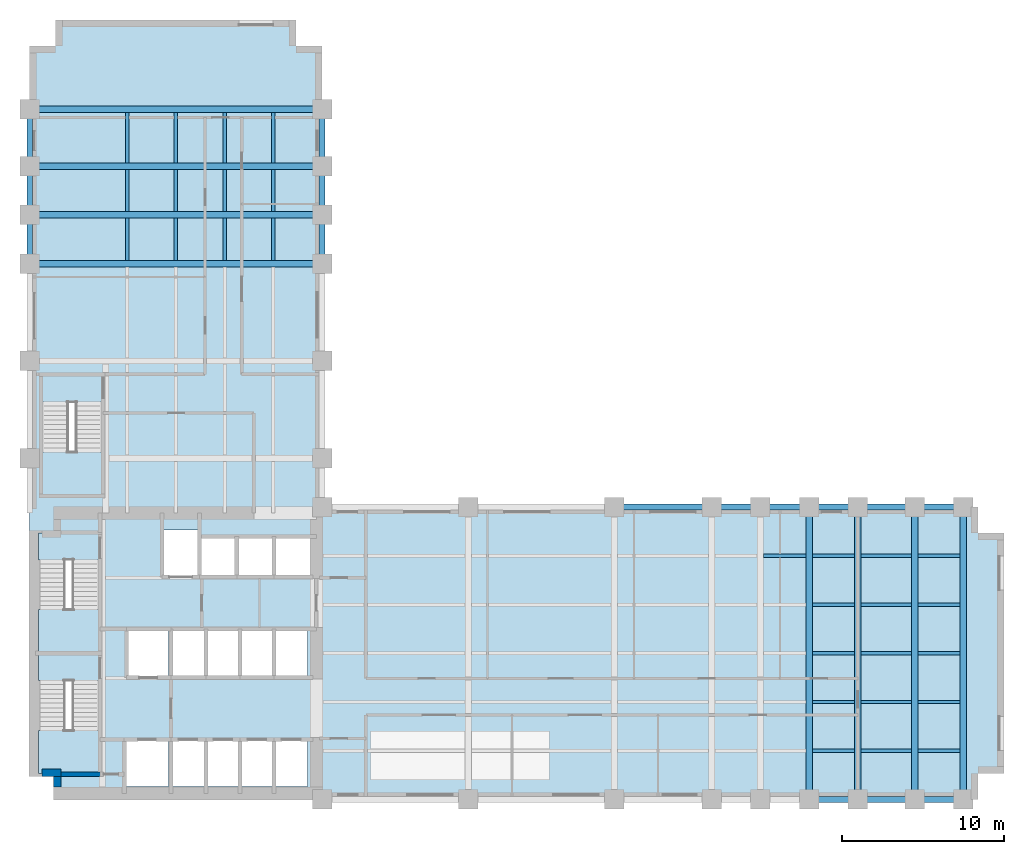
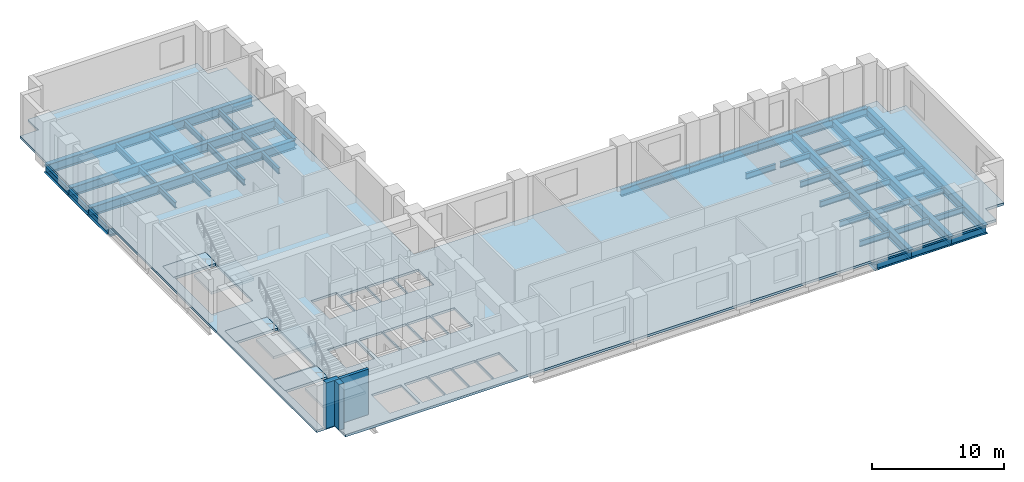
# One storey, part 2 of 7: 51 beams, 7 slabs, 3 walls, 3 elements without a shape of their own.
"""IFC4 building model written with IfcOpenShell, lengths in metres."""

from ifc_helpers import new_model, si_unit, direction, frame, frame_2d, origin, origin_2d, place, context, subcontext, project, spatial, polyline, rectangle, i_section, outline, extrude, material, layer, layer_set, material_profile, profile_set, type_object, element, aggregate, save


model = new_model("IFC4")

# Units and contexts
model_context = context("Model", 3, precision=1e-05, world=origin(), true_north=direction((0.0, 1.0)))
body_context = subcontext(model_context, "Body", "Model", "MODEL_VIEW")
ifc_project = project(units=[si_unit("LENGTHUNIT", "METRE"), si_unit("AREAUNIT", "SQUARE_METRE"), si_unit("VOLUMEUNIT", "CUBIC_METRE"), si_unit("PLANEANGLEUNIT", "RADIAN"), si_unit("MASSUNIT", "GRAM", prefix="KILO")], contexts=[model_context])

# Site, building, storey
site_placement = place(None, origin())
site = spatial("IfcSite", under=ifc_project, at=site_placement, CompositionType="ELEMENT")
building_placement = place(site_placement, origin())
building = spatial("IfcBuilding", under=site, at=building_placement, Name="Mawjdan Bourse Tower", CompositionType="ELEMENT")
storey_placement = place(building_placement, frame((0.0, 0.0, 34.199951171875)))
storey = spatial("IfcBuildingStorey", under=building, at=storey_placement, Name="L07", CompositionType="ELEMENT", Elevation=34.199951171875)

# Beams
ifc_material_1 = material(Name="Structural Steel S355", Category="steel")
ifc_material_profile_1 = material_profile(ifc_material_1, i_section(OverallWidth=0.39892578125, OverallDepth=0.85595703125, WebThickness=0.018310546875, FlangeThickness=0.029296875, FilletRadius=0.0234375, at=origin_2d()), Name="W33X201")
ifc_profile_set_1 = profile_set([ifc_material_profile_1], Name="Structural Steel S355")
beam_type_1 = type_object("IfcBeamType", Name="GRD-W33X201", PredefinedType="BEAM", material=ifc_profile_set_1)
for number, where, z_axis, x_axis, name in (
    (1, (54.0, 3.0, -0.64794921875), (0.0, 1.0, 0.0), (-1.0, 0.0, 0.0), "L07 East Wing Clear-Span Girder 006"),
    (2, (57.0, 3.0, -0.64794921875), (0.0, 1.0, 0.0), (-1.0, 0.0, 0.0), "L07 East Wing Clear-Span Girder 007"),
    (3, (60.5, 3.0, -0.64794921875), (0.0, 1.0, 0.0), (-1.0, 0.0, 0.0), "L07 East Wing Clear-Span Girder 008"),
    (4, (63.5, 3.0, -0.64794921875), (0.0, 1.0, 0.0), (-1.0, 0.0, 0.0), "L07 East Wing Clear-Span Girder 009"),
    (5, (6.0, 36.0, -0.64794921875), (1.0, 0.0, 0.0), (0.0, 1.0, 0.0), "L07 North Wing Clear-Span Girder 073"),
    (6, (6.0, 39.0, -0.64794921875), (1.0, 0.0, 0.0), (0.0, 1.0, 0.0), "L07 North Wing Clear-Span Girder 074"),
    (7, (6.0, 42.0, -0.64794921875), (1.0, 0.0, 0.0), (0.0, 1.0, 0.0), "L07 North Wing Clear-Span Girder 075"),
    (8, (6.0, 45.5, -0.64794921875), (1.0, 0.0, 0.0), (0.0, 1.0, 0.0), "L07 North Wing Clear-Span Girder 076"),
):
    element("IfcBeam", number, at=place(storey_placement, frame(where, z_axis=z_axis, x_axis=x_axis)), inside=storey, type_object=beam_type_1, Name=name, PredefinedType="BEAM", context=body_context, shape_type="SweptSolid", body=[
        extrude(i_section(OverallWidth=0.39892578125, OverallDepth=0.85595703125, WebThickness=0.018310546875, FlangeThickness=0.029296875, FilletRadius=0.0234375, at=origin_2d()), origin(), (0.0, 0.0, 1.0), 18.0),
    ])
ifc_material_profile_2 = material_profile(ifc_material_1, i_section(OverallWidth=0.2119140625, OverallDepth=0.5439453125, WebThickness=0.01318359375, FlangeThickness=0.021240234375, FilletRadius=0.01708984375, at=origin_2d()), Name="W21X83")
ifc_profile_set_2 = profile_set([ifc_material_profile_2], Name="Structural Steel S355")
beam_type_2 = type_object("IfcBeamType", Name="JST-W21X83", PredefinedType="JOIST", material=ifc_profile_set_2)
beam_1_placement = place(storey_placement, frame((54.197509765625, 6.0, -0.491943359375), z_axis=(1.0, 0.0, 0.0), x_axis=(0.0, 1.0, 0.0)))
element("IfcBeam", 9, at=beam_1_placement, inside=storey, type_object=beam_type_2, Name="L07 East Wing Composite Joist 031", PredefinedType="JOIST", context=body_context, shape_type="SweptSolid", body=[
    extrude(i_section(OverallWidth=0.2119140625, OverallDepth=0.5439453125, WebThickness=0.01318359375, FlangeThickness=0.021240234375, FilletRadius=0.01708984375, at=origin_2d()), origin(), (0.0, 0.0, 1.0), 2.60498046875),
])
beam_2_placement = place(storey_placement, frame((57.197509765625, 6.0, -0.491943359375), z_axis=(1.0, 0.0, 0.0), x_axis=(0.0, 1.0, 0.0)))
element("IfcBeam", 10, at=beam_2_placement, inside=storey, type_object=beam_type_2, Name="L07 East Wing Composite Joist 032", PredefinedType="JOIST", context=body_context, shape_type="SweptSolid", body=[
    extrude(i_section(OverallWidth=0.2119140625, OverallDepth=0.5439453125, WebThickness=0.01318359375, FlangeThickness=0.021240234375, FilletRadius=0.01708984375, at=origin_2d()), origin(), (0.0, 0.0, 1.0), 3.10498046875),
])
for number, where, z_axis, x_axis, name in (
    (11, (60.697509765625, 6.0, -0.491943359375), (1.0, 0.0, 0.0), (0.0, 1.0, 0.0), "L07 East Wing Composite Joist 033"),
    (12, (54.197509765625, 9.0, -0.491943359375), (1.0, 0.0, 0.0), (0.0, 1.0, 0.0), "L07 East Wing Composite Joist 039"),
):
    element("IfcBeam", number, at=place(storey_placement, frame(where, z_axis=z_axis, x_axis=x_axis)), inside=storey, type_object=beam_type_2, Name=name, PredefinedType="JOIST", context=body_context, shape_type="SweptSolid", body=[
        extrude(i_section(OverallWidth=0.2119140625, OverallDepth=0.5439453125, WebThickness=0.01318359375, FlangeThickness=0.021240234375, FilletRadius=0.01708984375, at=origin_2d()), origin(), (0.0, 0.0, 1.0), 2.60498046875),
    ])
beam_3_placement = place(storey_placement, frame((57.197509765625, 9.0, -0.491943359375), z_axis=(1.0, 0.0, 0.0), x_axis=(0.0, 1.0, 0.0)))
element("IfcBeam", 13, at=beam_3_placement, inside=storey, type_object=beam_type_2, Name="L07 East Wing Composite Joist 040", PredefinedType="JOIST", context=body_context, shape_type="SweptSolid", body=[
    extrude(i_section(OverallWidth=0.2119140625, OverallDepth=0.5439453125, WebThickness=0.01318359375, FlangeThickness=0.021240234375, FilletRadius=0.01708984375, at=origin_2d()), origin(), (0.0, 0.0, 1.0), 3.10498046875),
])
for number, where, z_axis, x_axis, name in (
    (14, (60.697509765625, 9.0, -0.491943359375), (1.0, 0.0, 0.0), (0.0, 1.0, 0.0), "L07 East Wing Composite Joist 041"),
    (15, (54.197509765625, 12.0, -0.491943359375), (1.0, 0.0, 0.0), (0.0, 1.0, 0.0), "L07 East Wing Composite Joist 047"),
):
    element("IfcBeam", number, at=place(storey_placement, frame(where, z_axis=z_axis, x_axis=x_axis)), inside=storey, type_object=beam_type_2, Name=name, PredefinedType="JOIST", context=body_context, shape_type="SweptSolid", body=[
        extrude(i_section(OverallWidth=0.2119140625, OverallDepth=0.5439453125, WebThickness=0.01318359375, FlangeThickness=0.021240234375, FilletRadius=0.01708984375, at=origin_2d()), origin(), (0.0, 0.0, 1.0), 2.60498046875),
    ])
beam_4_placement = place(storey_placement, frame((57.197509765625, 12.0, -0.491943359375), z_axis=(1.0, 0.0, 0.0), x_axis=(0.0, 1.0, 0.0)))
element("IfcBeam", 16, at=beam_4_placement, inside=storey, type_object=beam_type_2, Name="L07 East Wing Composite Joist 048", PredefinedType="JOIST", context=body_context, shape_type="SweptSolid", body=[
    extrude(i_section(OverallWidth=0.2119140625, OverallDepth=0.5439453125, WebThickness=0.01318359375, FlangeThickness=0.021240234375, FilletRadius=0.01708984375, at=origin_2d()), origin(), (0.0, 0.0, 1.0), 3.10498046875),
])
for number, where, z_axis, x_axis, name in (
    (17, (60.697509765625, 12.0, -0.491943359375), (1.0, 0.0, 0.0), (0.0, 1.0, 0.0), "L07 East Wing Composite Joist 049"),
    (18, (54.197509765625, 15.0, -0.491943359375), (1.0, 0.0, 0.0), (0.0, 1.0, 0.0), "L07 East Wing Composite Joist 055"),
):
    element("IfcBeam", number, at=place(storey_placement, frame(where, z_axis=z_axis, x_axis=x_axis)), inside=storey, type_object=beam_type_2, Name=name, PredefinedType="JOIST", context=body_context, shape_type="SweptSolid", body=[
        extrude(i_section(OverallWidth=0.2119140625, OverallDepth=0.5439453125, WebThickness=0.01318359375, FlangeThickness=0.021240234375, FilletRadius=0.01708984375, at=origin_2d()), origin(), (0.0, 0.0, 1.0), 2.60498046875),
    ])
beam_5_placement = place(storey_placement, frame((57.197509765625, 15.0, -0.491943359375), z_axis=(1.0, 0.0, 0.0), x_axis=(0.0, 1.0, 0.0)))
element("IfcBeam", 19, at=beam_5_placement, inside=storey, type_object=beam_type_2, Name="L07 East Wing Composite Joist 056", PredefinedType="JOIST", context=body_context, shape_type="SweptSolid", body=[
    extrude(i_section(OverallWidth=0.2119140625, OverallDepth=0.5439453125, WebThickness=0.01318359375, FlangeThickness=0.021240234375, FilletRadius=0.01708984375, at=origin_2d()), origin(), (0.0, 0.0, 1.0), 3.10498046875),
])
for number, where, z_axis, x_axis, name in (
    (20, (60.697509765625, 15.0, -0.491943359375), (1.0, 0.0, 0.0), (0.0, 1.0, 0.0), "L07 East Wing Composite Joist 057"),
    (21, (51.197509765625, 18.0, -0.491943359375), (1.0, 0.0, 0.0), (0.0, 1.0, 0.0), "L07 East Wing Composite Joist 062"),
    (22, (54.197509765625, 18.0, -0.491943359375), (1.0, 0.0, 0.0), (0.0, 1.0, 0.0), "L07 East Wing Composite Joist 063"),
):
    element("IfcBeam", number, at=place(storey_placement, frame(where, z_axis=z_axis, x_axis=x_axis)), inside=storey, type_object=beam_type_2, Name=name, PredefinedType="JOIST", context=body_context, shape_type="SweptSolid", body=[
        extrude(i_section(OverallWidth=0.2119140625, OverallDepth=0.5439453125, WebThickness=0.01318359375, FlangeThickness=0.021240234375, FilletRadius=0.01708984375, at=origin_2d()), origin(), (0.0, 0.0, 1.0), 2.60498046875),
    ])
beam_6_placement = place(storey_placement, frame((57.197509765625, 18.0, -0.491943359375), z_axis=(1.0, 0.0, 0.0), x_axis=(0.0, 1.0, 0.0)))
element("IfcBeam", 23, at=beam_6_placement, inside=storey, type_object=beam_type_2, Name="L07 East Wing Composite Joist 064", PredefinedType="JOIST", context=body_context, shape_type="SweptSolid", body=[
    extrude(i_section(OverallWidth=0.2119140625, OverallDepth=0.5439453125, WebThickness=0.01318359375, FlangeThickness=0.021240234375, FilletRadius=0.01708984375, at=origin_2d()), origin(), (0.0, 0.0, 1.0), 3.10498046875),
])
for number, where, z_axis, x_axis, name in (
    (24, (60.697509765625, 18.0, -0.491943359375), (1.0, 0.0, 0.0), (0.0, 1.0, 0.0), "L07 East Wing Composite Joist 065"),
    (25, (12.0, 36.197509765625, -0.491943359375), (0.0, 1.0, 0.0), (-1.0, 0.0, 0.0), "L07 North Wing Composite Joist 092"),
    (26, (12.0, 39.197509765625, -0.491943359375), (0.0, 1.0, 0.0), (-1.0, 0.0, 0.0), "L07 North Wing Composite Joist 093"),
):
    element("IfcBeam", number, at=place(storey_placement, frame(where, z_axis=z_axis, x_axis=x_axis)), inside=storey, type_object=beam_type_2, Name=name, PredefinedType="JOIST", context=body_context, shape_type="SweptSolid", body=[
        extrude(i_section(OverallWidth=0.2119140625, OverallDepth=0.5439453125, WebThickness=0.01318359375, FlangeThickness=0.021240234375, FilletRadius=0.01708984375, at=origin_2d()), origin(), (0.0, 0.0, 1.0), 2.60498046875),
    ])
beam_7_placement = place(storey_placement, frame((12.0, 42.197509765625, -0.491943359375), z_axis=(0.0, 1.0, 0.0), x_axis=(-1.0, 0.0, 0.0)))
element("IfcBeam", 27, at=beam_7_placement, inside=storey, type_object=beam_type_2, Name="L07 North Wing Composite Joist 094", PredefinedType="JOIST", context=body_context, shape_type="SweptSolid", body=[
    extrude(i_section(OverallWidth=0.2119140625, OverallDepth=0.5439453125, WebThickness=0.01318359375, FlangeThickness=0.021240234375, FilletRadius=0.01708984375, at=origin_2d()), origin(), (0.0, 0.0, 1.0), 3.10498046875),
])
for number, where, z_axis, x_axis, name in (
    (28, (15.0, 36.197509765625, -0.491943359375), (0.0, 1.0, 0.0), (-1.0, 0.0, 0.0), "L07 North Wing Composite Joist 098"),
    (29, (15.0, 39.197509765625, -0.491943359375), (0.0, 1.0, 0.0), (-1.0, 0.0, 0.0), "L07 North Wing Composite Joist 099"),
):
    element("IfcBeam", number, at=place(storey_placement, frame(where, z_axis=z_axis, x_axis=x_axis)), inside=storey, type_object=beam_type_2, Name=name, PredefinedType="JOIST", context=body_context, shape_type="SweptSolid", body=[
        extrude(i_section(OverallWidth=0.2119140625, OverallDepth=0.5439453125, WebThickness=0.01318359375, FlangeThickness=0.021240234375, FilletRadius=0.01708984375, at=origin_2d()), origin(), (0.0, 0.0, 1.0), 2.60498046875),
    ])
beam_8_placement = place(storey_placement, frame((15.0, 42.197509765625, -0.491943359375), z_axis=(0.0, 1.0, 0.0), x_axis=(-1.0, 0.0, 0.0)))
element("IfcBeam", 30, at=beam_8_placement, inside=storey, type_object=beam_type_2, Name="L07 North Wing Composite Joist 100", PredefinedType="JOIST", context=body_context, shape_type="SweptSolid", body=[
    extrude(i_section(OverallWidth=0.2119140625, OverallDepth=0.5439453125, WebThickness=0.01318359375, FlangeThickness=0.021240234375, FilletRadius=0.01708984375, at=origin_2d()), origin(), (0.0, 0.0, 1.0), 3.10498046875),
])
for number, where, z_axis, x_axis, name in (
    (31, (18.0, 36.197509765625, -0.491943359375), (0.0, 1.0, 0.0), (-1.0, 0.0, 0.0), "L07 North Wing Composite Joist 104"),
    (32, (18.0, 39.197509765625, -0.491943359375), (0.0, 1.0, 0.0), (-1.0, 0.0, 0.0), "L07 North Wing Composite Joist 105"),
):
    element("IfcBeam", number, at=place(storey_placement, frame(where, z_axis=z_axis, x_axis=x_axis)), inside=storey, type_object=beam_type_2, Name=name, PredefinedType="JOIST", context=body_context, shape_type="SweptSolid", body=[
        extrude(i_section(OverallWidth=0.2119140625, OverallDepth=0.5439453125, WebThickness=0.01318359375, FlangeThickness=0.021240234375, FilletRadius=0.01708984375, at=origin_2d()), origin(), (0.0, 0.0, 1.0), 2.60498046875),
    ])
beam_9_placement = place(storey_placement, frame((18.0, 42.197509765625, -0.491943359375), z_axis=(0.0, 1.0, 0.0), x_axis=(-1.0, 0.0, 0.0)))
element("IfcBeam", 33, at=beam_9_placement, inside=storey, type_object=beam_type_2, Name="L07 North Wing Composite Joist 106", PredefinedType="JOIST", context=body_context, shape_type="SweptSolid", body=[
    extrude(i_section(OverallWidth=0.2119140625, OverallDepth=0.5439453125, WebThickness=0.01318359375, FlangeThickness=0.021240234375, FilletRadius=0.01708984375, at=origin_2d()), origin(), (0.0, 0.0, 1.0), 3.10498046875),
])
for number, where, z_axis, x_axis, name in (
    (34, (21.0, 36.197509765625, -0.491943359375), (0.0, 1.0, 0.0), (-1.0, 0.0, 0.0), "L07 North Wing Composite Joist 110"),
    (35, (21.0, 39.197509765625, -0.491943359375), (0.0, 1.0, 0.0), (-1.0, 0.0, 0.0), "L07 North Wing Composite Joist 111"),
):
    element("IfcBeam", number, at=place(storey_placement, frame(where, z_axis=z_axis, x_axis=x_axis)), inside=storey, type_object=beam_type_2, Name=name, PredefinedType="JOIST", context=body_context, shape_type="SweptSolid", body=[
        extrude(i_section(OverallWidth=0.2119140625, OverallDepth=0.5439453125, WebThickness=0.01318359375, FlangeThickness=0.021240234375, FilletRadius=0.01708984375, at=origin_2d()), origin(), (0.0, 0.0, 1.0), 2.60498046875),
    ])
beam_10_placement = place(storey_placement, frame((21.0, 42.197509765625, -0.491943359375), z_axis=(0.0, 1.0, 0.0), x_axis=(-1.0, 0.0, 0.0)))
element("IfcBeam", 36, at=beam_10_placement, inside=storey, type_object=beam_type_2, Name="L07 North Wing Composite Joist 112", PredefinedType="JOIST", context=body_context, shape_type="SweptSolid", body=[
    extrude(i_section(OverallWidth=0.2119140625, OverallDepth=0.5439453125, WebThickness=0.01318359375, FlangeThickness=0.021240234375, FilletRadius=0.01708984375, at=origin_2d()), origin(), (0.0, 0.0, 1.0), 3.10498046875),
])
ifc_material_profile_3 = material_profile(ifc_material_1, i_section(OverallWidth=0.35498046875, OverallDepth=0.696044921875, WebThickness=0.015380859375, FlangeThickness=0.02490234375, FilletRadius=0.019775390625, at=origin_2d()), Name="W27X146")
ifc_profile_set_3 = profile_set([ifc_material_profile_3], Name="Structural Steel S355")
beam_type_3 = type_object("IfcBeamType", Name="SPN-W27X146", PredefinedType="SPANDREL", material=ifc_profile_set_3)
beam_11_placement = place(storey_placement, frame((54.0, 3.0, -0.56787109375), z_axis=(1.0, 0.0, 0.0), x_axis=(0.0, 1.0, 0.0)))
element("IfcBeam", 37, at=beam_11_placement, inside=storey, type_object=beam_type_3, Name="L07 Perimeter Masonry-Shelf Spandrel 015", PredefinedType="SPANDREL", context=body_context, shape_type="SweptSolid", body=[
    extrude(i_section(OverallWidth=0.35498046875, OverallDepth=0.696044921875, WebThickness=0.015380859375, FlangeThickness=0.02490234375, FilletRadius=0.019775390625, at=origin_2d()), origin(), (0.0, 0.0, 1.0), 3.0),
])
beam_12_placement = place(storey_placement, frame((57.0, 3.0, -0.56787109375), z_axis=(1.0, 0.0, 0.0), x_axis=(0.0, 1.0, 0.0)))
element("IfcBeam", 38, at=beam_12_placement, inside=storey, type_object=beam_type_3, Name="L07 Perimeter Masonry-Shelf Spandrel 016", PredefinedType="SPANDREL", context=body_context, shape_type="SweptSolid", body=[
    extrude(i_section(OverallWidth=0.35498046875, OverallDepth=0.696044921875, WebThickness=0.015380859375, FlangeThickness=0.02490234375, FilletRadius=0.019775390625, at=origin_2d()), origin(), (0.0, 0.0, 1.0), 3.5),
])
beam_13_placement = place(storey_placement, frame((60.5, 3.0, -0.56787109375), z_axis=(1.0, 0.0, 0.0), x_axis=(0.0, 1.0, 0.0)))
element("IfcBeam", 39, at=beam_13_placement, inside=storey, type_object=beam_type_3, Name="L07 Perimeter Masonry-Shelf Spandrel 017", PredefinedType="SPANDREL", context=body_context, shape_type="SweptSolid", body=[
    extrude(i_section(OverallWidth=0.35498046875, OverallDepth=0.696044921875, WebThickness=0.015380859375, FlangeThickness=0.02490234375, FilletRadius=0.019775390625, at=origin_2d()), origin(), (0.0, 0.0, 1.0), 3.0),
])
beam_14_placement = place(storey_placement, frame((42.0, 21.0, -0.56787109375), z_axis=(1.0, 0.0, 0.0), x_axis=(0.0, 1.0, 0.0)))
element("IfcBeam", 40, at=beam_14_placement, inside=storey, type_object=beam_type_3, Name="L07 Perimeter Masonry-Shelf Spandrel 020", PredefinedType="SPANDREL", context=body_context, shape_type="SweptSolid", body=[
    extrude(i_section(OverallWidth=0.35498046875, OverallDepth=0.696044921875, WebThickness=0.015380859375, FlangeThickness=0.02490234375, FilletRadius=0.019775390625, at=origin_2d()), origin(), (0.0, 0.0, 1.0), 6.0),
])
for number, where, z_axis, x_axis, name in (
    (41, (48.0, 21.0, -0.56787109375), (1.0, 0.0, 0.0), (0.0, 1.0, 0.0), "L07 Perimeter Masonry-Shelf Spandrel 021"),
    (42, (51.0, 21.0, -0.56787109375), (1.0, 0.0, 0.0), (0.0, 1.0, 0.0), "L07 Perimeter Masonry-Shelf Spandrel 022"),
    (43, (54.0, 21.0, -0.56787109375), (1.0, 0.0, 0.0), (0.0, 1.0, 0.0), "L07 Perimeter Masonry-Shelf Spandrel 023"),
):
    element("IfcBeam", number, at=place(storey_placement, frame(where, z_axis=z_axis, x_axis=x_axis)), inside=storey, type_object=beam_type_3, Name=name, PredefinedType="SPANDREL", context=body_context, shape_type="SweptSolid", body=[
        extrude(i_section(OverallWidth=0.35498046875, OverallDepth=0.696044921875, WebThickness=0.015380859375, FlangeThickness=0.02490234375, FilletRadius=0.019775390625, at=origin_2d()), origin(), (0.0, 0.0, 1.0), 3.0),
    ])
beam_15_placement = place(storey_placement, frame((57.0, 21.0, -0.56787109375), z_axis=(1.0, 0.0, 0.0), x_axis=(0.0, 1.0, 0.0)))
element("IfcBeam", 44, at=beam_15_placement, inside=storey, type_object=beam_type_3, Name="L07 Perimeter Masonry-Shelf Spandrel 024", PredefinedType="SPANDREL", context=body_context, shape_type="SweptSolid", body=[
    extrude(i_section(OverallWidth=0.35498046875, OverallDepth=0.696044921875, WebThickness=0.015380859375, FlangeThickness=0.02490234375, FilletRadius=0.019775390625, at=origin_2d()), origin(), (0.0, 0.0, 1.0), 3.5),
])
for number, where, z_axis, x_axis, name in (
    (45, (60.5, 21.0, -0.56787109375), (1.0, 0.0, 0.0), (0.0, 1.0, 0.0), "L07 Perimeter Masonry-Shelf Spandrel 025"),
    (46, (6.0, 36.0, -0.56787109375), (0.0, 1.0, 0.0), (-1.0, 0.0, 0.0), "L07 North Wing Spandrel 080"),
    (47, (6.0, 39.0, -0.56787109375), (0.0, 1.0, 0.0), (-1.0, 0.0, 0.0), "L07 North Wing Spandrel 081"),
):
    element("IfcBeam", number, at=place(storey_placement, frame(where, z_axis=z_axis, x_axis=x_axis)), inside=storey, type_object=beam_type_3, Name=name, PredefinedType="SPANDREL", context=body_context, shape_type="SweptSolid", body=[
        extrude(i_section(OverallWidth=0.35498046875, OverallDepth=0.696044921875, WebThickness=0.015380859375, FlangeThickness=0.02490234375, FilletRadius=0.019775390625, at=origin_2d()), origin(), (0.0, 0.0, 1.0), 3.0),
    ])
beam_16_placement = place(storey_placement, frame((6.0, 42.0, -0.56787109375), z_axis=(0.0, 1.0, 0.0), x_axis=(-1.0, 0.0, 0.0)))
element("IfcBeam", 48, at=beam_16_placement, inside=storey, type_object=beam_type_3, Name="L07 North Wing Spandrel 082", PredefinedType="SPANDREL", context=body_context, shape_type="SweptSolid", body=[
    extrude(i_section(OverallWidth=0.35498046875, OverallDepth=0.696044921875, WebThickness=0.015380859375, FlangeThickness=0.02490234375, FilletRadius=0.019775390625, at=origin_2d()), origin(), (0.0, 0.0, 1.0), 3.5),
])
for number, where, z_axis, x_axis, name in (
    (49, (24.0, 36.0, -0.56787109375), (0.0, 1.0, 0.0), (-1.0, 0.0, 0.0), "L07 North Wing Spandrel 086"),
    (50, (24.0, 39.0, -0.56787109375), (0.0, 1.0, 0.0), (-1.0, 0.0, 0.0), "L07 North Wing Spandrel 087"),
):
    element("IfcBeam", number, at=place(storey_placement, frame(where, z_axis=z_axis, x_axis=x_axis)), inside=storey, type_object=beam_type_3, Name=name, PredefinedType="SPANDREL", context=body_context, shape_type="SweptSolid", body=[
        extrude(i_section(OverallWidth=0.35498046875, OverallDepth=0.696044921875, WebThickness=0.015380859375, FlangeThickness=0.02490234375, FilletRadius=0.019775390625, at=origin_2d()), origin(), (0.0, 0.0, 1.0), 3.0),
    ])
beam_17_placement = place(storey_placement, frame((24.0, 42.0, -0.56787109375), z_axis=(0.0, 1.0, 0.0), x_axis=(-1.0, 0.0, 0.0)))
element("IfcBeam", 51, at=beam_17_placement, inside=storey, type_object=beam_type_3, Name="L07 North Wing Spandrel 088", PredefinedType="SPANDREL", context=body_context, shape_type="SweptSolid", body=[
    extrude(i_section(OverallWidth=0.35498046875, OverallDepth=0.696044921875, WebThickness=0.015380859375, FlangeThickness=0.02490234375, FilletRadius=0.019775390625, at=origin_2d()), origin(), (0.0, 0.0, 1.0), 3.5),
])

# Stair, slabs
ifc_material_2 = material(Name="Concrete C50/60", Category="concrete")
stair_type = type_object("IfcStairType", Name="STR-CORE-1500", PredefinedType="HALF_TURN_STAIR", material=ifc_material_2)
stair_1_placement = place(storey_placement, origin())
stair_1 = element("IfcStair", 52, at=stair_1_placement, inside=storey, type_object=stair_type, Name="L07 Exit Stair 1 (Core South-West)", PredefinedType="HALF_TURN_STAIR")
ifc_layer_1 = layer(ifc_material_2, 0.22998046875)
ifc_layer_set_1 = layer_set([ifc_layer_1], Name="Concrete C50/60")
slab_type_1 = type_object("IfcSlabType", Name="SL-LND-230", PredefinedType="LANDING", material=ifc_layer_set_1)
slab_1_placement = place(storey_placement, frame((0.0, 0.0, -0.22998046875)))
slab_1 = element("IfcSlab", 53, at=slab_1_placement, type_object=slab_type_1, Name="ST1-L07 landing 1", PredefinedType="LANDING", context=body_context, shape_type="SweptSolid", body=[
    extrude(outline(polyline([(6.5400390625, 10.31005859375), (10.260009765625, 10.31005859375), (10.260009765625, 11.969970703125), (6.5400390625, 11.969970703125), (6.5400390625, 10.31005859375)])), origin(), (0.0, 0.0, 1.0), 0.22998046875),
])
slab_2_placement = place(storey_placement, frame((0.0, 0.0, 1.8701171875)))
slab_2 = element("IfcSlab", 54, at=slab_2_placement, type_object=slab_type_1, Name="ST1-L07 landing 2", PredefinedType="LANDING", context=body_context, shape_type="SweptSolid", body=[
    extrude(outline(polyline([(6.5400390625, 4.590087890625), (10.260009765625, 4.590087890625), (10.260009765625, 7.2548828125), (6.5400390625, 7.2548828125), (6.5400390625, 4.590087890625)])), origin(), (0.0, 0.0, 1.0), 0.22998046875),
])
aggregate(stair_1, [slab_1, slab_2])

stair_2_placement = place(storey_placement, origin())
stair_2 = element("IfcStair", 55, at=stair_2_placement, inside=storey, type_object=stair_type, Name="L07 Exit Stair 2 (Core North-West)", PredefinedType="HALF_TURN_STAIR")
slab_3_placement = place(storey_placement, frame((0.0, 0.0, -0.22998046875)))
slab_3 = element("IfcSlab", 56, at=slab_3_placement, type_object=slab_type_1, Name="ST2-L07 landing 1", PredefinedType="LANDING", context=body_context, shape_type="SweptSolid", body=[
    extrude(outline(polyline([(6.5400390625, 17.75), (10.260009765625, 17.75), (10.260009765625, 19.409912109375), (6.5400390625, 19.409912109375), (6.5400390625, 17.75)])), origin(), (0.0, 0.0, 1.0), 0.22998046875),
])
slab_4_placement = place(storey_placement, frame((0.0, 0.0, 1.8701171875)))
slab_4 = element("IfcSlab", 57, at=slab_4_placement, type_object=slab_type_1, Name="ST2-L07 landing 2", PredefinedType="LANDING", context=body_context, shape_type="SweptSolid", body=[
    extrude(outline(polyline([(6.5400390625, 12.030029296875), (10.260009765625, 12.030029296875), (10.260009765625, 14.695068359375), (6.5400390625, 14.695068359375), (6.5400390625, 12.030029296875)])), origin(), (0.0, 0.0, 1.0), 0.22998046875),
])
aggregate(stair_2, [slab_3, slab_4])

stair_3_placement = place(storey_placement, origin())
stair_3 = element("IfcStair", 58, at=stair_3_placement, inside=storey, type_object=stair_type, Name="L07 Exit Stair 3 (North Wing)", PredefinedType="HALF_TURN_STAIR")
slab_5_placement = place(storey_placement, frame((0.0, 0.0, -0.22998046875)))
slab_5 = element("IfcSlab", 59, at=slab_5_placement, type_object=slab_type_1, Name="ST3-L07 landing 1", PredefinedType="LANDING", context=body_context, shape_type="SweptSolid", body=[
    extrude(outline(polyline([(6.739990234375, 27.4599609375), (10.4599609375, 27.4599609375), (10.4599609375, 29.1201171875), (6.739990234375, 29.1201171875), (6.739990234375, 27.4599609375)])), origin(), (0.0, 0.0, 1.0), 0.22998046875),
])
slab_6_placement = place(storey_placement, frame((0.0, 0.0, 1.8701171875)))
slab_6 = element("IfcSlab", 60, at=slab_6_placement, type_object=slab_type_1, Name="ST3-L07 landing 2", PredefinedType="LANDING", context=body_context, shape_type="SweptSolid", body=[
    extrude(outline(polyline([(6.739990234375, 21.739990234375), (10.4599609375, 21.739990234375), (10.4599609375, 24.405029296875), (6.739990234375, 24.405029296875), (6.739990234375, 21.739990234375)])), origin(), (0.0, 0.0, 1.0), 0.22998046875),
])
aggregate(stair_3, [slab_5, slab_6])

# Slab
ifc_layer_2 = layer(ifc_material_2, 0.219970703125)
ifc_layer_set_2 = layer_set([ifc_layer_2], Name="Concrete C50/60")
slab_type_2 = type_object("IfcSlabType", Name="SL-TRD-220", PredefinedType="FLOOR", material=ifc_layer_set_2)
slab_7_placement = place(storey_placement, frame((0.0, 0.0, -0.219970703125)))
element("IfcSlab", 61, at=slab_7_placement, inside=storey, type_object=slab_type_2, Name="L07 Structural Floor Slab 1", PredefinedType="FLOOR", context=body_context, shape_type="SweptSolid", body=[
    extrude(outline(polyline([(7.60009765625, 3.0), (64.39990234375, 3.0), (64.39990234375, 4.60009765625), (66.0, 4.60009765625), (66.0, 19.39990234375), (64.39990234375, 19.39990234375), (64.39990234375, 21.0), (24.0, 21.0), (24.0, 49.39990234375), (22.39990234375, 49.39990234375), (22.39990234375, 51.0), (7.60009765625, 51.0), (7.60009765625, 49.39990234375), (6.0, 49.39990234375), (6.0, 4.60009765625), (7.60009765625, 4.60009765625), (7.60009765625, 3.0)]), holes=[polyline([(11.949951171875, 3.800048828125), (11.949951171875, 6.60009765625), (14.550048828125, 6.60009765625), (14.550048828125, 3.800048828125), (11.949951171875, 3.800048828125)]), polyline([(14.800048828125, 3.800048828125), (14.800048828125, 6.60009765625), (16.800048828125, 6.60009765625), (16.800048828125, 3.800048828125), (14.800048828125, 3.800048828125)]), polyline([(10.260009765625, 11.969970703125), (10.260009765625, 10.31005859375), (10.199951171875, 10.31005859375), (10.199951171875, 4.64990234375), (6.60009765625, 4.64990234375), (6.60009765625, 10.31005859375), (6.5400390625, 10.31005859375), (6.5400390625, 11.969970703125), (10.260009765625, 11.969970703125)]), polyline([(12.050048828125, 13.39990234375), (14.550048828125, 13.39990234375), (14.550048828125, 10.60009765625), (12.050048828125, 10.60009765625), (12.050048828125, 13.39990234375)]), polyline([(6.60009765625, 17.75), (6.5400390625, 17.75), (6.5400390625, 19.409912109375), (10.260009765625, 19.409912109375), (10.260009765625, 17.75), (10.199951171875, 17.75), (10.199951171875, 12.090087890625), (6.60009765625, 12.090087890625), (6.60009765625, 17.75)]), polyline([(14.199951171875, 16.800048828125), (14.199951171875, 19.60009765625), (16.39990234375, 19.60009765625), (16.39990234375, 16.800048828125), (14.199951171875, 16.800048828125)]), polyline([(10.4599609375, 27.4599609375), (10.39990234375, 27.4599609375), (10.39990234375, 21.800048828125), (6.800048828125, 21.800048828125), (6.800048828125, 27.4599609375), (6.739990234375, 27.4599609375), (6.739990234375, 29.1201171875), (10.4599609375, 29.1201171875), (10.4599609375, 27.4599609375)]), polyline([(16.89990234375, 3.800048828125), (16.89990234375, 6.60009765625), (18.89990234375, 6.60009765625), (18.89990234375, 3.800048828125), (16.89990234375, 3.800048828125)]), polyline([(19.0, 3.800048828125), (19.0, 6.60009765625), (21.0, 6.60009765625), (21.0, 3.800048828125), (19.0, 3.800048828125)]), polyline([(21.10009765625, 3.800048828125), (21.10009765625, 6.60009765625), (23.10009765625, 6.60009765625), (23.10009765625, 3.800048828125), (21.10009765625, 3.800048828125)]), polyline([(14.800048828125, 13.39990234375), (16.800048828125, 13.39990234375), (16.800048828125, 10.60009765625), (14.800048828125, 10.60009765625), (14.800048828125, 13.39990234375)]), polyline([(16.89990234375, 13.39990234375), (18.89990234375, 13.39990234375), (18.89990234375, 10.60009765625), (16.89990234375, 10.60009765625), (16.89990234375, 13.39990234375)]), polyline([(19.0, 10.60009765625), (19.0, 13.39990234375), (21.0, 13.39990234375), (21.0, 10.60009765625), (19.0, 10.60009765625)]), polyline([(21.10009765625, 10.60009765625), (21.10009765625, 13.39990234375), (23.10009765625, 13.39990234375), (23.10009765625, 10.60009765625), (21.10009765625, 10.60009765625)]), polyline([(16.5, 16.800048828125), (16.5, 19.14990234375), (18.699951171875, 19.14990234375), (18.699951171875, 16.800048828125), (16.5, 16.800048828125)]), polyline([(18.800048828125, 19.14990234375), (21.0, 19.14990234375), (21.0, 16.800048828125), (18.800048828125, 16.800048828125), (18.800048828125, 19.14990234375)]), polyline([(21.10009765625, 19.14990234375), (23.300048828125, 19.14990234375), (23.300048828125, 16.800048828125), (21.10009765625, 16.800048828125), (21.10009765625, 19.14990234375)])]), origin(), (0.0, 0.0, 1.0), 0.219970703125),
])

# Walls
ifc_material_3 = material(Name="Concrete C60/75", Category="concrete")
ifc_layer_3 = layer(ifc_material_3, 0.449951171875)
ifc_layer_set_3 = layer_set([ifc_layer_3], Name="Concrete C60/75")
wall_type_1 = type_object("IfcWallType", Name="WL-CORE-450", PredefinedType="SHEAR", material=ifc_layer_set_3)
wall_1_placement = place(storey_placement, frame((6.75, 4.64990234375, 0.0), z_axis=(0.0, 0.0, 1.0), x_axis=(1.0, 0.0, 0.0)))
element("IfcWall", 62, at=wall_1_placement, inside=storey, type_object=wall_type_1, Name="L07 Rear Core Shear Wall SW-X", PredefinedType="SHEAR", context=body_context, shape_type="SweptSolid", body=[
    extrude(rectangle(XDim=1.175048828125, YDim=0.449951171875, at=frame_2d((0.58740234375, 0.0))), origin(), (0.0, 0.0, 1.0), 4.199951171875),
])
wall_2_placement = place(storey_placement, frame((7.699951171875, 3.75, 0.0), z_axis=(0.0, 0.0, 1.0), x_axis=(0.0, 1.0, 0.0)))
element("IfcWall", 63, at=wall_2_placement, inside=storey, type_object=wall_type_1, Name="L07 Rear Core Shear Wall SW-Y", PredefinedType="SHEAR", context=body_context, shape_type="SweptSolid", body=[
    extrude(rectangle(XDim=0.675048828125, YDim=0.449951171875, at=frame_2d((0.33740234375, 0.0))), origin(), (0.0, 0.0, 1.0), 4.199951171875),
])
ifc_layer_4 = layer(ifc_material_2, 0.25)
ifc_layer_set_4 = layer_set([ifc_layer_4], Name="Concrete C50/60")
wall_type_2 = type_object("IfcWallType", Name="WL-STRW-250", PredefinedType="SHEAR", material=ifc_layer_set_4)
wall_3_placement = place(storey_placement, frame((7.699951171875, 4.550048828125, 0.0), z_axis=(0.0, 0.0, 1.0), x_axis=(1.0, 0.0, 0.0)))
element("IfcWall", 64, at=wall_3_placement, inside=storey, type_object=wall_type_2, Name="L07 Stairwell ST1 South Shaft Wall", PredefinedType="SHEAR", context=body_context, shape_type="SweptSolid", body=[
    extrude(rectangle(XDim=2.755126953125, YDim=0.25, at=frame_2d((1.37744140625, 0.0))), origin(), (0.0, 0.0, 1.0), 4.199951171875),
])

save(model, "model.ifc")
